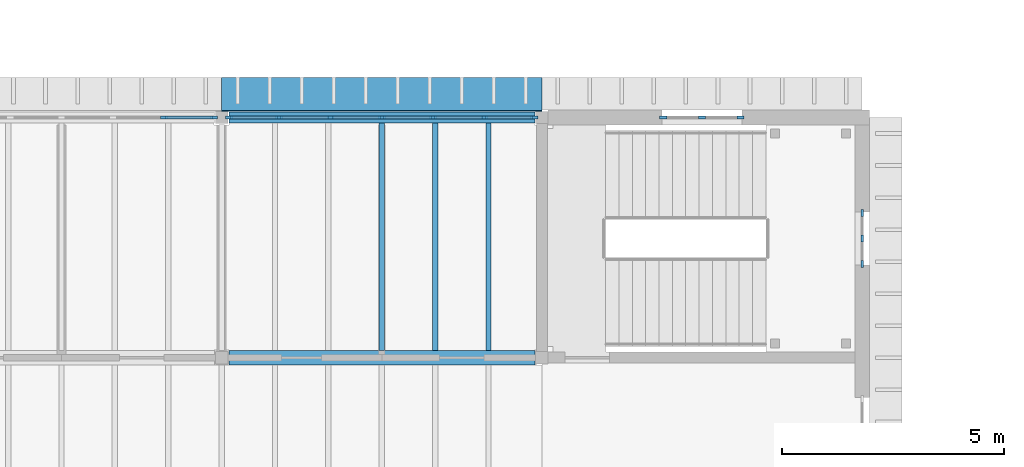
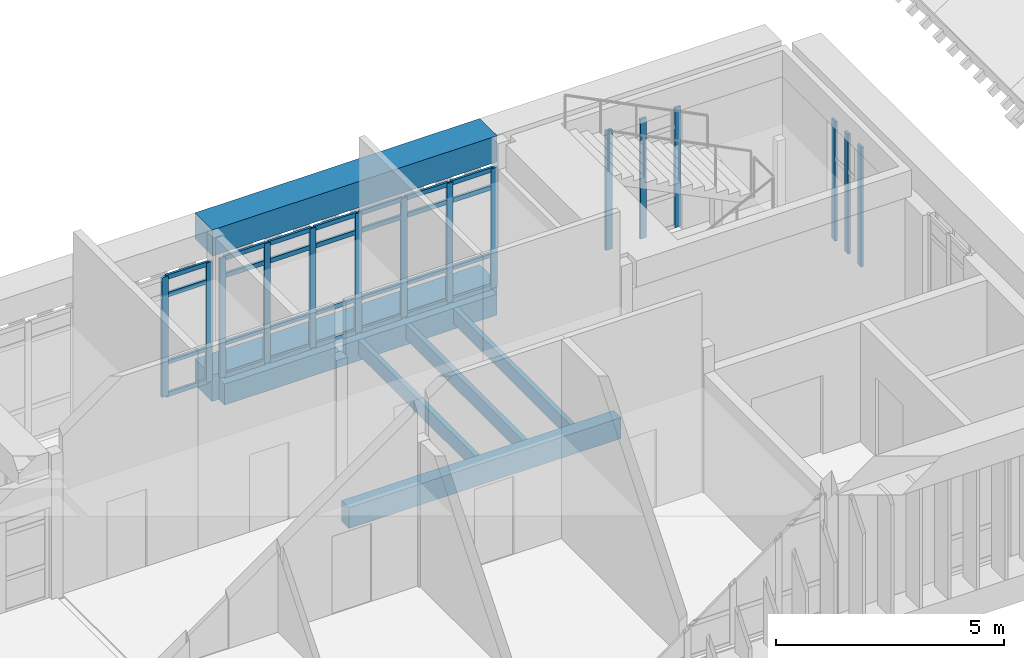
# One storey, part 14 of 51: 45 members, 5 beams, 4 elements without a shape of their own.
"""IFC4 building model written with IfcOpenShell, lengths in metres."""

from ifc_helpers import new_model, si_unit, direction, frame, origin, origin_2d, place, context, subcontext, project, spatial, rectangle, extrude, material, layer, layer_set, material_profile, profile_set, type_object, element, aggregate, save


model = new_model("IFC4")

# Units and contexts
model_context = context("Model", 3, precision=1e-05, world=origin(), true_north=direction((0.0, 1.0)))
body_context = subcontext(model_context, "Body", "Model", "MODEL_VIEW")
ifc_project = project(units=[si_unit("LENGTHUNIT", "METRE"), si_unit("AREAUNIT", "SQUARE_METRE"), si_unit("VOLUMEUNIT", "CUBIC_METRE"), si_unit("PLANEANGLEUNIT", "RADIAN"), si_unit("MASSUNIT", "GRAM", prefix="KILO")], contexts=[model_context])

# Site, building, storey
site_placement = place(None, origin())
site = spatial("IfcSite", under=ifc_project, at=site_placement, CompositionType="ELEMENT")
building_placement = place(site_placement, origin())
building = spatial("IfcBuilding", under=site, at=building_placement, Name="Mazhai Court Health Centre", CompositionType="ELEMENT")
storey_placement = place(building_placement, frame((0.0, 0.0, 14.10009765625)))
storey = spatial("IfcBuildingStorey", under=building, at=storey_placement, Name="L03", CompositionType="ELEMENT", Elevation=14.10009765625)

# Curtain wall, members
ifc_material_1 = material(Name="Teak timber frame, glazed", Category="wood")
ifc_layer_1 = layer(ifc_material_1, 0.10009765625)
ifc_layer_set_1 = layer_set([ifc_layer_1], Name="CURTAIN WALL TIMBER 900")
curtain_wall_type_1 = type_object("IfcCurtainWallType", Name="CURTAIN WALL TIMBER 900", PredefinedType="NOTDEFINED", material=ifc_layer_set_1)
curtain_wall_1_placement = place(storey_placement, origin())
curtain_wall_1 = element("IfcCurtainWall", 1, at=curtain_wall_1_placement, inside=storey, type_object=curtain_wall_type_1, Name="CW-V4-L03-B7", PredefinedType="NOTDEFINED")
ifc_material_2 = material(Name="Teak timber", Category="wood")
ifc_material_profile_1 = material_profile(ifc_material_2, rectangle(XDim=0.06005859375, YDim=0.159912109375, at=origin_2d()), Name="CW MULLION 60x160")
ifc_profile_set_1 = profile_set([ifc_material_profile_1], Name="Teak timber")
member_type_1 = type_object("IfcMemberType", Name="CW MULLION 60x160", PredefinedType="MULLION", material=ifc_profile_set_1)
member_1_placement = place(storey_placement, frame((124.1298828125, 27.800048828125, 0.0), z_axis=(0.0, 0.0, 1.0), x_axis=(0.0, 1.0, 0.0)))
member_1 = element("IfcMember", 2, at=member_1_placement, type_object=member_type_1, Name="CW mullion 1", PredefinedType="MULLION", context=body_context, shape_type="SweptSolid", body=[
    extrude(rectangle(XDim=0.06005859375, YDim=0.159912109375, at=origin_2d()), origin(), (0.0, 0.0, 1.0), 3.199951171875),
])
member_2_placement = place(storey_placement, frame((125.0, 27.800048828125, 0.0), z_axis=(0.0, 0.0, 1.0), x_axis=(0.0, 1.0, 0.0)))
member_2 = element("IfcMember", 3, at=member_2_placement, type_object=member_type_1, Name="CW mullion 2", PredefinedType="MULLION", context=body_context, shape_type="SweptSolid", body=[
    extrude(rectangle(XDim=0.06005859375, YDim=0.159912109375, at=origin_2d()), origin(), (0.0, 0.0, 1.0), 3.199951171875),
])
member_3_placement = place(storey_placement, frame((125.8701171875, 27.800048828125, 0.0), z_axis=(0.0, 0.0, 1.0), x_axis=(0.0, 1.0, 0.0)))
member_3 = element("IfcMember", 4, at=member_3_placement, type_object=member_type_1, Name="CW mullion 3", PredefinedType="MULLION", context=body_context, shape_type="SweptSolid", body=[
    extrude(rectangle(XDim=0.06005859375, YDim=0.159912109375, at=origin_2d()), origin(), (0.0, 0.0, 1.0), 3.199951171875),
])
aggregate(curtain_wall_1, [member_1, member_2, member_3])

ifc_material_3 = material(Name="Teak timber frame, glazed", Category="wood")
ifc_layer_2 = layer(ifc_material_3, 0.10009765625)
ifc_layer_set_2 = layer_set([ifc_layer_2], Name="CURTAIN WALL TIMBER 600")
curtain_wall_type_2 = type_object("IfcCurtainWallType", Name="CURTAIN WALL TIMBER 600", PredefinedType="NOTDEFINED", material=ifc_layer_set_2)
curtain_wall_2_placement = place(storey_placement, origin())
curtain_wall_2 = element("IfcCurtainWall", 5, at=curtain_wall_2_placement, inside=storey, type_object=curtain_wall_type_2, Name="CW-V4-L03-ESTAIR1", PredefinedType="NOTDEFINED")
member_4_placement = place(storey_placement, frame((128.60009765625, 25.64990234375, 0.0), z_axis=(0.0, 0.0, 1.0), x_axis=(1.0, 0.0, 0.0)))
member_4 = element("IfcMember", 6, at=member_4_placement, type_object=member_type_1, Name="CW mullion 1", PredefinedType="MULLION", context=body_context, shape_type="SweptSolid", body=[
    extrude(rectangle(XDim=0.06005859375, YDim=0.159912109375, at=origin_2d()), origin(), (0.0, 0.0, 1.0), 3.199951171875),
])
member_5_placement = place(storey_placement, frame((128.60009765625, 25.080078125, 0.0), z_axis=(0.0, 0.0, 1.0), x_axis=(1.0, 0.0, 0.0)))
member_5 = element("IfcMember", 7, at=member_5_placement, type_object=member_type_1, Name="CW mullion 2", PredefinedType="MULLION", context=body_context, shape_type="SweptSolid", body=[
    extrude(rectangle(XDim=0.06005859375, YDim=0.159912109375, at=origin_2d()), origin(), (0.0, 0.0, 1.0), 3.199951171875),
])
member_6_placement = place(storey_placement, frame((128.60009765625, 24.510009765625, 0.0), z_axis=(0.0, 0.0, 1.0), x_axis=(1.0, 0.0, 0.0)))
member_6 = element("IfcMember", 8, at=member_6_placement, type_object=member_type_1, Name="CW mullion 3", PredefinedType="MULLION", context=body_context, shape_type="SweptSolid", body=[
    extrude(rectangle(XDim=0.06005859375, YDim=0.159912109375, at=origin_2d()), origin(), (0.0, 0.0, 1.0), 3.199951171875),
])
aggregate(curtain_wall_2, [member_4, member_5, member_6])

ifc_material_4 = material(Name="Teak timber frame, glazed", Category="wood")
ifc_layer_3 = layer(ifc_material_4, 0.10009765625)
ifc_layer_set_3 = layer_set([ifc_layer_3], Name="CURTAIN WALL TIMBER 1200")
curtain_wall_type_3 = type_object("IfcCurtainWallType", Name="CURTAIN WALL TIMBER 1200", PredefinedType="NOTDEFINED", material=ifc_layer_set_3)
curtain_wall_3_placement = place(storey_placement, origin())
curtain_wall_3 = element("IfcCurtainWall", 9, at=curtain_wall_3_placement, inside=storey, type_object=curtain_wall_type_3, Name="CW-V4-L03-B5", PredefinedType="NOTDEFINED")
member_7_placement = place(storey_placement, frame((112.90673828125, 27.800048828125, 0.0), z_axis=(0.0, 0.0, 1.0), x_axis=(0.0, 1.0, 0.0)))
member_7 = element("IfcMember", 10, at=member_7_placement, type_object=member_type_1, Name="CW mullion 6", PredefinedType="MULLION", context=body_context, shape_type="SweptSolid", body=[
    extrude(rectangle(XDim=0.06005859375, YDim=0.159912109375, at=origin_2d()), origin(), (0.0, 0.0, 1.0), 3.199951171875),
])
member_8_placement = place(storey_placement, frame((114.030029296875, 27.800048828125, 0.0), z_axis=(0.0, 0.0, 1.0), x_axis=(0.0, 1.0, 0.0)))
member_8 = element("IfcMember", 11, at=member_8_placement, type_object=member_type_1, Name="CW mullion 7", PredefinedType="MULLION", context=body_context, shape_type="SweptSolid", body=[
    extrude(rectangle(XDim=0.06005859375, YDim=0.159912109375, at=origin_2d()), origin(), (0.0, 0.0, 1.0), 3.199951171875),
])

curtain_wall_4_placement = place(storey_placement, origin())
curtain_wall_4 = element("IfcCurtainWall", 12, at=curtain_wall_4_placement, inside=storey, type_object=curtain_wall_type_3, Name="CW-V4-L03-B6", PredefinedType="NOTDEFINED")
member_9_placement = place(storey_placement, frame((114.3701171875, 27.800048828125, 0.0), z_axis=(0.0, 0.0, 1.0), x_axis=(0.0, 1.0, 0.0)))
member_9 = element("IfcMember", 13, at=member_9_placement, type_object=member_type_1, Name="CW mullion 1", PredefinedType="MULLION", context=body_context, shape_type="SweptSolid", body=[
    extrude(rectangle(XDim=0.06005859375, YDim=0.159912109375, at=origin_2d()), origin(), (0.0, 0.0, 1.0), 3.199951171875),
])
member_10_placement = place(storey_placement, frame((115.493408203125, 27.800048828125, 0.0), z_axis=(0.0, 0.0, 1.0), x_axis=(0.0, 1.0, 0.0)))
member_10 = element("IfcMember", 14, at=member_10_placement, type_object=member_type_1, Name="CW mullion 2", PredefinedType="MULLION", context=body_context, shape_type="SweptSolid", body=[
    extrude(rectangle(XDim=0.06005859375, YDim=0.159912109375, at=origin_2d()), origin(), (0.0, 0.0, 1.0), 3.199951171875),
])
member_11_placement = place(storey_placement, frame((116.646728515625, 27.800048828125, 0.0), z_axis=(0.0, 0.0, 1.0), x_axis=(0.0, 1.0, 0.0)))
member_11 = element("IfcMember", 15, at=member_11_placement, type_object=member_type_1, Name="CW mullion 3", PredefinedType="MULLION", context=body_context, shape_type="SweptSolid", body=[
    extrude(rectangle(XDim=0.06005859375, YDim=0.159912109375, at=origin_2d()), origin(), (0.0, 0.0, 1.0), 3.199951171875),
])
member_12_placement = place(storey_placement, frame((117.800048828125, 27.800048828125, 0.0), z_axis=(0.0, 0.0, 1.0), x_axis=(0.0, 1.0, 0.0)))
member_12 = element("IfcMember", 16, at=member_12_placement, type_object=member_type_1, Name="CW mullion 4", PredefinedType="MULLION", context=body_context, shape_type="SweptSolid", body=[
    extrude(rectangle(XDim=0.06005859375, YDim=0.159912109375, at=origin_2d()), origin(), (0.0, 0.0, 1.0), 3.199951171875),
])
member_13_placement = place(storey_placement, frame((118.953369140625, 27.800048828125, 0.0), z_axis=(0.0, 0.0, 1.0), x_axis=(0.0, 1.0, 0.0)))
member_13 = element("IfcMember", 17, at=member_13_placement, type_object=member_type_1, Name="CW mullion 5", PredefinedType="MULLION", context=body_context, shape_type="SweptSolid", body=[
    extrude(rectangle(XDim=0.06005859375, YDim=0.159912109375, at=origin_2d()), origin(), (0.0, 0.0, 1.0), 3.199951171875),
])
member_14_placement = place(storey_placement, frame((120.106689453125, 27.800048828125, 0.0), z_axis=(0.0, 0.0, 1.0), x_axis=(0.0, 1.0, 0.0)))
member_14 = element("IfcMember", 18, at=member_14_placement, type_object=member_type_1, Name="CW mullion 6", PredefinedType="MULLION", context=body_context, shape_type="SweptSolid", body=[
    extrude(rectangle(XDim=0.06005859375, YDim=0.159912109375, at=origin_2d()), origin(), (0.0, 0.0, 1.0), 3.199951171875),
])
member_15_placement = place(storey_placement, frame((121.22998046875, 27.800048828125, 0.0), z_axis=(0.0, 0.0, 1.0), x_axis=(0.0, 1.0, 0.0)))
member_15 = element("IfcMember", 19, at=member_15_placement, type_object=member_type_1, Name="CW mullion 7", PredefinedType="MULLION", context=body_context, shape_type="SweptSolid", body=[
    extrude(rectangle(XDim=0.06005859375, YDim=0.159912109375, at=origin_2d()), origin(), (0.0, 0.0, 1.0), 3.199951171875),
])

# Member
ifc_material_5 = material(Name="Teak timber", Category="wood")
ifc_material_profile_2 = material_profile(ifc_material_5, rectangle(XDim=0.06005859375, YDim=0.1201171875, at=origin_2d()), Name="CW TRANSOM 60x120")
ifc_profile_set_2 = profile_set([ifc_material_profile_2], Name="Teak timber")
member_type_2 = type_object("IfcMemberType", Name="CW TRANSOM 60x120", PredefinedType="USERDEFINED", material=ifc_profile_set_2)
member_16_placement = place(storey_placement, frame((112.936767578125, 27.800048828125, 0.02978515625), z_axis=(1.0, 0.0, 0.0), x_axis=(0.0, 1.0, 0.0)))
member_16 = element("IfcMember", 20, at=member_16_placement, type_object=member_type_2, Name="CW transom 6.1", ObjectType="TRANSOM", PredefinedType="USERDEFINED", context=body_context, shape_type="SweptSolid", body=[
    extrude(rectangle(XDim=0.06005859375, YDim=0.1201171875, at=origin_2d()), origin(), (0.0, 0.0, 1.0), 1.063232421875),
])

member_17_placement = place(storey_placement, frame((112.936767578125, 27.800048828125, 0.89990234375), z_axis=(1.0, 0.0, 0.0), x_axis=(0.0, 1.0, 0.0)))
member_17 = element("IfcMember", 21, at=member_17_placement, type_object=member_type_2, Name="CW transom 6.2", ObjectType="TRANSOM", PredefinedType="USERDEFINED", context=body_context, shape_type="SweptSolid", body=[
    extrude(rectangle(XDim=0.06005859375, YDim=0.1201171875, at=origin_2d()), origin(), (0.0, 0.0, 1.0), 1.063232421875),
])

member_18_placement = place(storey_placement, frame((112.936767578125, 27.800048828125, 2.699951171875), z_axis=(1.0, 0.0, 0.0), x_axis=(0.0, 1.0, 0.0)))
member_18 = element("IfcMember", 22, at=member_18_placement, type_object=member_type_2, Name="CW transom 6.3", ObjectType="TRANSOM", PredefinedType="USERDEFINED", context=body_context, shape_type="SweptSolid", body=[
    extrude(rectangle(XDim=0.06005859375, YDim=0.1201171875, at=origin_2d()), origin(), (0.0, 0.0, 1.0), 1.063232421875),
])

member_19_placement = place(storey_placement, frame((112.936767578125, 27.800048828125, 3.169921875), z_axis=(1.0, 0.0, 0.0), x_axis=(0.0, 1.0, 0.0)))
member_19 = element("IfcMember", 23, at=member_19_placement, type_object=member_type_2, Name="CW transom 6.4", ObjectType="TRANSOM", PredefinedType="USERDEFINED", context=body_context, shape_type="SweptSolid", body=[
    extrude(rectangle(XDim=0.06005859375, YDim=0.1201171875, at=origin_2d()), origin(), (0.0, 0.0, 1.0), 1.063232421875),
])

aggregate(curtain_wall_3, [member_7, member_8, member_16, member_17, member_18, member_19])

member_20_placement = place(storey_placement, frame((114.39990234375, 27.800048828125, 0.02978515625), z_axis=(1.0, 0.0, 0.0), x_axis=(0.0, 1.0, 0.0)))
member_20 = element("IfcMember", 24, at=member_20_placement, type_object=member_type_2, Name="CW transom 1.1", ObjectType="TRANSOM", PredefinedType="USERDEFINED", context=body_context, shape_type="SweptSolid", body=[
    extrude(rectangle(XDim=0.06005859375, YDim=0.1201171875, at=origin_2d()), origin(), (0.0, 0.0, 1.0), 1.0634765625),
])

member_21_placement = place(storey_placement, frame((114.39990234375, 27.800048828125, 0.89990234375), z_axis=(1.0, 0.0, 0.0), x_axis=(0.0, 1.0, 0.0)))
member_21 = element("IfcMember", 25, at=member_21_placement, type_object=member_type_2, Name="CW transom 1.2", ObjectType="TRANSOM", PredefinedType="USERDEFINED", context=body_context, shape_type="SweptSolid", body=[
    extrude(rectangle(XDim=0.06005859375, YDim=0.1201171875, at=origin_2d()), origin(), (0.0, 0.0, 1.0), 1.0634765625),
])

member_22_placement = place(storey_placement, frame((114.39990234375, 27.800048828125, 2.699951171875), z_axis=(1.0, 0.0, 0.0), x_axis=(0.0, 1.0, 0.0)))
member_22 = element("IfcMember", 26, at=member_22_placement, type_object=member_type_2, Name="CW transom 1.3", ObjectType="TRANSOM", PredefinedType="USERDEFINED", context=body_context, shape_type="SweptSolid", body=[
    extrude(rectangle(XDim=0.06005859375, YDim=0.1201171875, at=origin_2d()), origin(), (0.0, 0.0, 1.0), 1.0634765625),
])

member_23_placement = place(storey_placement, frame((114.39990234375, 27.800048828125, 3.169921875), z_axis=(1.0, 0.0, 0.0), x_axis=(0.0, 1.0, 0.0)))
member_23 = element("IfcMember", 27, at=member_23_placement, type_object=member_type_2, Name="CW transom 1.4", ObjectType="TRANSOM", PredefinedType="USERDEFINED", context=body_context, shape_type="SweptSolid", body=[
    extrude(rectangle(XDim=0.06005859375, YDim=0.1201171875, at=origin_2d()), origin(), (0.0, 0.0, 1.0), 1.0634765625),
])

member_24_placement = place(storey_placement, frame((115.5234375, 27.800048828125, 0.02978515625), z_axis=(1.0, 0.0, 0.0), x_axis=(0.0, 1.0, 0.0)))
member_24 = element("IfcMember", 28, at=member_24_placement, type_object=member_type_2, Name="CW transom 2.1", ObjectType="TRANSOM", PredefinedType="USERDEFINED", context=body_context, shape_type="SweptSolid", body=[
    extrude(rectangle(XDim=0.06005859375, YDim=0.1201171875, at=origin_2d()), origin(), (0.0, 0.0, 1.0), 1.09326171875),
])

member_25_placement = place(storey_placement, frame((115.5234375, 27.800048828125, 0.89990234375), z_axis=(1.0, 0.0, 0.0), x_axis=(0.0, 1.0, 0.0)))
member_25 = element("IfcMember", 29, at=member_25_placement, type_object=member_type_2, Name="CW transom 2.2", ObjectType="TRANSOM", PredefinedType="USERDEFINED", context=body_context, shape_type="SweptSolid", body=[
    extrude(rectangle(XDim=0.06005859375, YDim=0.1201171875, at=origin_2d()), origin(), (0.0, 0.0, 1.0), 1.09326171875),
])

member_26_placement = place(storey_placement, frame((115.5234375, 27.800048828125, 2.699951171875), z_axis=(1.0, 0.0, 0.0), x_axis=(0.0, 1.0, 0.0)))
member_26 = element("IfcMember", 30, at=member_26_placement, type_object=member_type_2, Name="CW transom 2.3", ObjectType="TRANSOM", PredefinedType="USERDEFINED", context=body_context, shape_type="SweptSolid", body=[
    extrude(rectangle(XDim=0.06005859375, YDim=0.1201171875, at=origin_2d()), origin(), (0.0, 0.0, 1.0), 1.09326171875),
])

member_27_placement = place(storey_placement, frame((115.5234375, 27.800048828125, 3.169921875), z_axis=(1.0, 0.0, 0.0), x_axis=(0.0, 1.0, 0.0)))
member_27 = element("IfcMember", 31, at=member_27_placement, type_object=member_type_2, Name="CW transom 2.4", ObjectType="TRANSOM", PredefinedType="USERDEFINED", context=body_context, shape_type="SweptSolid", body=[
    extrude(rectangle(XDim=0.06005859375, YDim=0.1201171875, at=origin_2d()), origin(), (0.0, 0.0, 1.0), 1.09326171875),
])

member_28_placement = place(storey_placement, frame((116.6767578125, 27.800048828125, 0.02978515625), z_axis=(1.0, 0.0, 0.0), x_axis=(0.0, 1.0, 0.0)))
member_28 = element("IfcMember", 32, at=member_28_placement, type_object=member_type_2, Name="CW transom 3.1", ObjectType="TRANSOM", PredefinedType="USERDEFINED", context=body_context, shape_type="SweptSolid", body=[
    extrude(rectangle(XDim=0.06005859375, YDim=0.1201171875, at=origin_2d()), origin(), (0.0, 0.0, 1.0), 1.09326171875),
])

member_29_placement = place(storey_placement, frame((116.6767578125, 27.800048828125, 0.89990234375), z_axis=(1.0, 0.0, 0.0), x_axis=(0.0, 1.0, 0.0)))
member_29 = element("IfcMember", 33, at=member_29_placement, type_object=member_type_2, Name="CW transom 3.2", ObjectType="TRANSOM", PredefinedType="USERDEFINED", context=body_context, shape_type="SweptSolid", body=[
    extrude(rectangle(XDim=0.06005859375, YDim=0.1201171875, at=origin_2d()), origin(), (0.0, 0.0, 1.0), 1.09326171875),
])

member_30_placement = place(storey_placement, frame((116.6767578125, 27.800048828125, 2.699951171875), z_axis=(1.0, 0.0, 0.0), x_axis=(0.0, 1.0, 0.0)))
member_30 = element("IfcMember", 34, at=member_30_placement, type_object=member_type_2, Name="CW transom 3.3", ObjectType="TRANSOM", PredefinedType="USERDEFINED", context=body_context, shape_type="SweptSolid", body=[
    extrude(rectangle(XDim=0.06005859375, YDim=0.1201171875, at=origin_2d()), origin(), (0.0, 0.0, 1.0), 1.09326171875),
])

member_31_placement = place(storey_placement, frame((116.6767578125, 27.800048828125, 3.169921875), z_axis=(1.0, 0.0, 0.0), x_axis=(0.0, 1.0, 0.0)))
member_31 = element("IfcMember", 35, at=member_31_placement, type_object=member_type_2, Name="CW transom 3.4", ObjectType="TRANSOM", PredefinedType="USERDEFINED", context=body_context, shape_type="SweptSolid", body=[
    extrude(rectangle(XDim=0.06005859375, YDim=0.1201171875, at=origin_2d()), origin(), (0.0, 0.0, 1.0), 1.09326171875),
])

member_32_placement = place(storey_placement, frame((117.830078125, 27.800048828125, 0.02978515625), z_axis=(1.0, 0.0, 0.0), x_axis=(0.0, 1.0, 0.0)))
member_32 = element("IfcMember", 36, at=member_32_placement, type_object=member_type_2, Name="CW transom 4.1", ObjectType="TRANSOM", PredefinedType="USERDEFINED", context=body_context, shape_type="SweptSolid", body=[
    extrude(rectangle(XDim=0.06005859375, YDim=0.1201171875, at=origin_2d()), origin(), (0.0, 0.0, 1.0), 1.09326171875),
])

member_33_placement = place(storey_placement, frame((117.830078125, 27.800048828125, 0.89990234375), z_axis=(1.0, 0.0, 0.0), x_axis=(0.0, 1.0, 0.0)))
member_33 = element("IfcMember", 37, at=member_33_placement, type_object=member_type_2, Name="CW transom 4.2", ObjectType="TRANSOM", PredefinedType="USERDEFINED", context=body_context, shape_type="SweptSolid", body=[
    extrude(rectangle(XDim=0.06005859375, YDim=0.1201171875, at=origin_2d()), origin(), (0.0, 0.0, 1.0), 1.09326171875),
])

member_34_placement = place(storey_placement, frame((117.830078125, 27.800048828125, 2.699951171875), z_axis=(1.0, 0.0, 0.0), x_axis=(0.0, 1.0, 0.0)))
member_34 = element("IfcMember", 38, at=member_34_placement, type_object=member_type_2, Name="CW transom 4.3", ObjectType="TRANSOM", PredefinedType="USERDEFINED", context=body_context, shape_type="SweptSolid", body=[
    extrude(rectangle(XDim=0.06005859375, YDim=0.1201171875, at=origin_2d()), origin(), (0.0, 0.0, 1.0), 1.09326171875),
])

member_35_placement = place(storey_placement, frame((117.830078125, 27.800048828125, 3.169921875), z_axis=(1.0, 0.0, 0.0), x_axis=(0.0, 1.0, 0.0)))
member_35 = element("IfcMember", 39, at=member_35_placement, type_object=member_type_2, Name="CW transom 4.4", ObjectType="TRANSOM", PredefinedType="USERDEFINED", context=body_context, shape_type="SweptSolid", body=[
    extrude(rectangle(XDim=0.06005859375, YDim=0.1201171875, at=origin_2d()), origin(), (0.0, 0.0, 1.0), 1.09326171875),
])

member_36_placement = place(storey_placement, frame((118.9833984375, 27.800048828125, 0.02978515625), z_axis=(1.0, 0.0, 0.0), x_axis=(0.0, 1.0, 0.0)))
member_36 = element("IfcMember", 40, at=member_36_placement, type_object=member_type_2, Name="CW transom 5.1", ObjectType="TRANSOM", PredefinedType="USERDEFINED", context=body_context, shape_type="SweptSolid", body=[
    extrude(rectangle(XDim=0.06005859375, YDim=0.1201171875, at=origin_2d()), origin(), (0.0, 0.0, 1.0), 1.09326171875),
])

member_37_placement = place(storey_placement, frame((118.9833984375, 27.800048828125, 0.89990234375), z_axis=(1.0, 0.0, 0.0), x_axis=(0.0, 1.0, 0.0)))
member_37 = element("IfcMember", 41, at=member_37_placement, type_object=member_type_2, Name="CW transom 5.2", ObjectType="TRANSOM", PredefinedType="USERDEFINED", context=body_context, shape_type="SweptSolid", body=[
    extrude(rectangle(XDim=0.06005859375, YDim=0.1201171875, at=origin_2d()), origin(), (0.0, 0.0, 1.0), 1.09326171875),
])

member_38_placement = place(storey_placement, frame((118.9833984375, 27.800048828125, 2.699951171875), z_axis=(1.0, 0.0, 0.0), x_axis=(0.0, 1.0, 0.0)))
member_38 = element("IfcMember", 42, at=member_38_placement, type_object=member_type_2, Name="CW transom 5.3", ObjectType="TRANSOM", PredefinedType="USERDEFINED", context=body_context, shape_type="SweptSolid", body=[
    extrude(rectangle(XDim=0.06005859375, YDim=0.1201171875, at=origin_2d()), origin(), (0.0, 0.0, 1.0), 1.09326171875),
])

member_39_placement = place(storey_placement, frame((118.9833984375, 27.800048828125, 3.169921875), z_axis=(1.0, 0.0, 0.0), x_axis=(0.0, 1.0, 0.0)))
member_39 = element("IfcMember", 43, at=member_39_placement, type_object=member_type_2, Name="CW transom 5.4", ObjectType="TRANSOM", PredefinedType="USERDEFINED", context=body_context, shape_type="SweptSolid", body=[
    extrude(rectangle(XDim=0.06005859375, YDim=0.1201171875, at=origin_2d()), origin(), (0.0, 0.0, 1.0), 1.09326171875),
])

member_40_placement = place(storey_placement, frame((120.13671875, 27.800048828125, 0.02978515625), z_axis=(1.0, 0.0, 0.0), x_axis=(0.0, 1.0, 0.0)))
member_40 = element("IfcMember", 44, at=member_40_placement, type_object=member_type_2, Name="CW transom 6.1", ObjectType="TRANSOM", PredefinedType="USERDEFINED", context=body_context, shape_type="SweptSolid", body=[
    extrude(rectangle(XDim=0.06005859375, YDim=0.1201171875, at=origin_2d()), origin(), (0.0, 0.0, 1.0), 1.063232421875),
])

member_41_placement = place(storey_placement, frame((120.13671875, 27.800048828125, 0.89990234375), z_axis=(1.0, 0.0, 0.0), x_axis=(0.0, 1.0, 0.0)))
member_41 = element("IfcMember", 45, at=member_41_placement, type_object=member_type_2, Name="CW transom 6.2", ObjectType="TRANSOM", PredefinedType="USERDEFINED", context=body_context, shape_type="SweptSolid", body=[
    extrude(rectangle(XDim=0.06005859375, YDim=0.1201171875, at=origin_2d()), origin(), (0.0, 0.0, 1.0), 1.063232421875),
])

member_42_placement = place(storey_placement, frame((120.13671875, 27.800048828125, 2.699951171875), z_axis=(1.0, 0.0, 0.0), x_axis=(0.0, 1.0, 0.0)))
member_42 = element("IfcMember", 46, at=member_42_placement, type_object=member_type_2, Name="CW transom 6.3", ObjectType="TRANSOM", PredefinedType="USERDEFINED", context=body_context, shape_type="SweptSolid", body=[
    extrude(rectangle(XDim=0.06005859375, YDim=0.1201171875, at=origin_2d()), origin(), (0.0, 0.0, 1.0), 1.063232421875),
])

member_43_placement = place(storey_placement, frame((120.13671875, 27.800048828125, 3.169921875), z_axis=(1.0, 0.0, 0.0), x_axis=(0.0, 1.0, 0.0)))
member_43 = element("IfcMember", 47, at=member_43_placement, type_object=member_type_2, Name="CW transom 6.4", ObjectType="TRANSOM", PredefinedType="USERDEFINED", context=body_context, shape_type="SweptSolid", body=[
    extrude(rectangle(XDim=0.06005859375, YDim=0.1201171875, at=origin_2d()), origin(), (0.0, 0.0, 1.0), 1.063232421875),
])

aggregate(curtain_wall_4, [member_9, member_10, member_11, member_12, member_13, member_14, member_15, member_20, member_21, member_22, member_23, member_24, member_25, member_26, member_27, member_28, member_29, member_30, member_31, member_32, member_33, member_34, member_35, member_36, member_37, member_38, member_39, member_40, member_41, member_42, member_43])

# Members
ifc_material_6 = material(Name="Glulam GL24h", Category="wood")
ifc_material_profile_3 = material_profile(ifc_material_6, rectangle(XDim=0.739990234375, YDim=0.699951171875, at=origin_2d()), Name="FIN RAIL 740x700")
ifc_profile_set_3 = profile_set([ifc_material_profile_3], Name="Glulam GL24h")
member_type_3 = type_object("IfcMemberType", Name="FIN RAIL 740x700", PredefinedType="USERDEFINED", material=ifc_profile_set_3)
member_44_placement = place(storey_placement, frame((114.199951171875, 28.330078125, -0.35009765625), z_axis=(1.0, 0.0, 0.0), x_axis=(0.0, 1.0, 0.0)))
element("IfcMember", 48, at=member_44_placement, inside=storey, type_object=member_type_3, Name="FR-V4-B4-L03", ObjectType="FIN RAIL", PredefinedType="USERDEFINED", context=body_context, shape_type="SweptSolid", body=[
    extrude(rectangle(XDim=0.739990234375, YDim=0.699951171875, at=origin_2d()), origin(), (0.0, 0.0, 1.0), 7.199951171875),
])
ifc_material_7 = material(Name="Glulam GL24h", Category="wood")
ifc_material_profile_4 = material_profile(ifc_material_7, rectangle(XDim=0.760009765625, YDim=0.699951171875, at=origin_2d()), Name="FIN RAIL 760x700")
ifc_profile_set_4 = profile_set([ifc_material_profile_4], Name="Glulam GL24h")
member_type_4 = type_object("IfcMemberType", Name="FIN RAIL 760x700", PredefinedType="USERDEFINED", material=ifc_profile_set_4)
member_45_placement = place(storey_placement, frame((114.199951171875, 28.320068359375, 3.5498046875), z_axis=(1.0, 0.0, 0.0), x_axis=(0.0, 1.0, 0.0)))
element("IfcMember", 49, at=member_45_placement, inside=storey, type_object=member_type_4, Name="FR-V4-B4-RF", ObjectType="FIN RAIL", PredefinedType="USERDEFINED", context=body_context, shape_type="SweptSolid", body=[
    extrude(rectangle(XDim=0.760009765625, YDim=0.699951171875, at=origin_2d()), origin(), (0.0, 0.0, 1.0), 7.199951171875),
])

# Beams
ifc_material_8 = material(Name="Glulam GL24h", Category="wood")
ifc_material_profile_5 = material_profile(ifc_material_8, rectangle(XDim=0.1201171875, YDim=0.39990234375, at=origin_2d()), Name="GL24h 120x400")
ifc_profile_set_5 = profile_set([ifc_material_profile_5], Name="Glulam GL24h")
beam_type_1 = type_object("IfcBeamType", Name="GL24h 120x400 joist", PredefinedType="JOIST", material=ifc_profile_set_5)
for number, where, z_axis, x_axis, name in (
    (50, (117.800048828125, 22.56005859375, -0.320068359375), (0.0, 1.0, 0.0), (-1.0, 0.0, 0.0), "joist-V4-L03-6-C3"),
    (51, (119.0, 22.56005859375, -0.320068359375), (0.0, 1.0, 0.0), (-1.0, 0.0, 0.0), "joist-V4-L03-6-C4"),
    (52, (120.199951171875, 22.56005859375, -0.320068359375), (0.0, 1.0, 0.0), (-1.0, 0.0, 0.0), "joist-V4-L03-6-C5"),
):
    element("IfcBeam", number, at=place(storey_placement, frame(where, z_axis=z_axis, x_axis=x_axis)), inside=storey, type_object=beam_type_1, Name=name, PredefinedType="JOIST", context=body_context, shape_type="SweptSolid", body=[
        extrude(rectangle(XDim=0.1201171875, YDim=0.39990234375, at=origin_2d()), origin(), (0.0, 0.0, 1.0), 5.119873046875),
    ])
ifc_material_9 = material(Name="Glulam GL28h", Category="wood")
ifc_material_profile_6 = material_profile(ifc_material_9, rectangle(XDim=0.239990234375, YDim=0.56005859375, at=origin_2d()), Name="GL28h 240x560")
ifc_profile_set_6 = profile_set([ifc_material_profile_6], Name="Glulam GL28h")
beam_type_2 = type_object("IfcBeamType", Name="GL28h 240x560 beam", PredefinedType="BEAM", material=ifc_profile_set_6)
beam_1_placement = place(storey_placement, frame((114.360107421875, 27.800048828125, -0.400146484375), z_axis=(1.0, 0.0, 0.0), x_axis=(0.0, 1.0, 0.0)))
element("IfcBeam", 53, at=beam_1_placement, inside=storey, type_object=beam_type_2, Name="beam-V4-L03-6-D", PredefinedType="BEAM", context=body_context, shape_type="SweptSolid", body=[
    extrude(rectangle(XDim=0.239990234375, YDim=0.56005859375, at=origin_2d()), origin(), (0.0, 0.0, 1.0), 6.8798828125),
])
ifc_material_10 = material(Name="Glulam GL28h", Category="wood")
ifc_material_profile_7 = material_profile(ifc_material_10, rectangle(XDim=0.320068359375, YDim=0.56005859375, at=origin_2d()), Name="GL28h 320x560")
ifc_profile_set_7 = profile_set([ifc_material_profile_7], Name="Glulam GL28h")
beam_type_3 = type_object("IfcBeamType", Name="GL28h 320x560 beam", PredefinedType="BEAM", material=ifc_profile_set_7)
beam_2_placement = place(storey_placement, frame((114.360107421875, 22.39990234375, -0.400146484375), z_axis=(1.0, 0.0, 0.0), x_axis=(0.0, 1.0, 0.0)))
element("IfcBeam", 54, at=beam_2_placement, inside=storey, type_object=beam_type_3, Name="beam-V4-L03-6-C", PredefinedType="BEAM", context=body_context, shape_type="SweptSolid", body=[
    extrude(rectangle(XDim=0.320068359375, YDim=0.56005859375, at=origin_2d()), origin(), (0.0, 0.0, 1.0), 6.8798828125),
])

save(model, "model.ifc")
